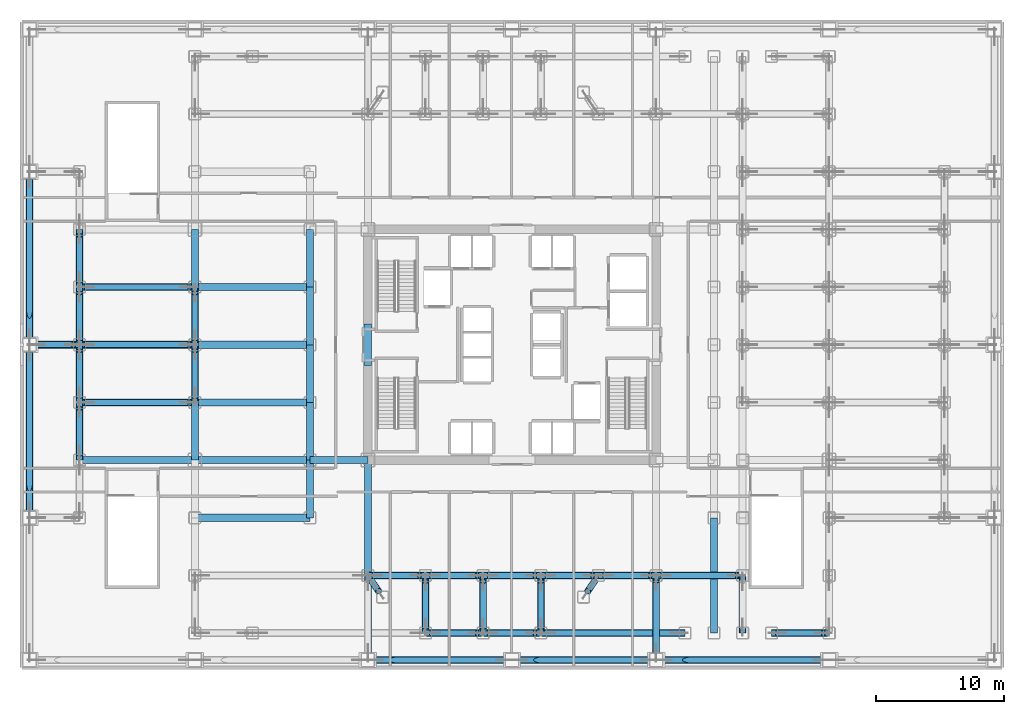
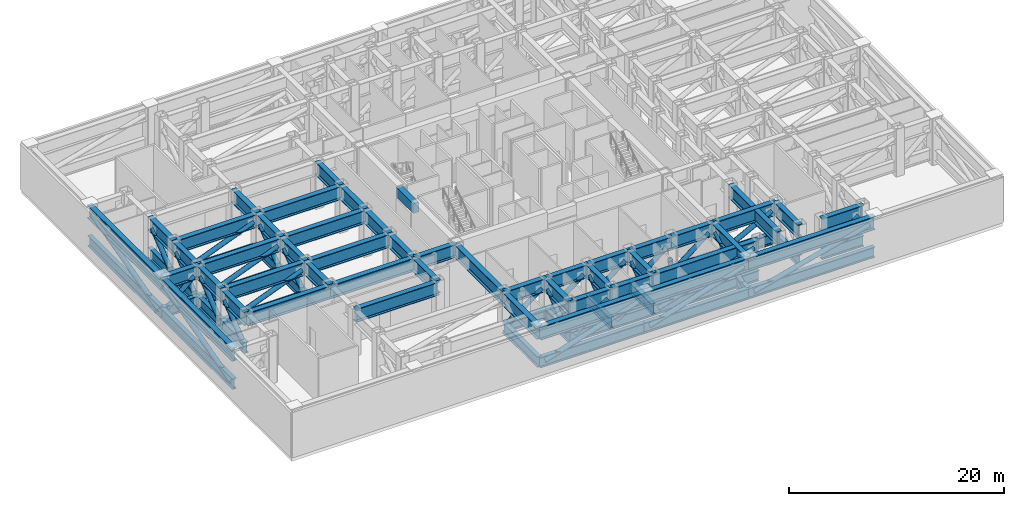
# One storey, part 2 of 17: 79 beams, 31 members.
"""IFC4 building model written with IfcOpenShell, lengths in metres."""

from ifc_helpers import new_model, si_unit, direction, frame, origin, origin_2d, place, context, subcontext, project, spatial, rectangle, hollow_circle, i_section, extrude, source, transform, mapped, material, material_profile, profile_set, type_object, element, save


model = new_model("IFC4")

# Units and contexts
model_context = context("Model", 3, precision=1e-05, world=origin(), true_north=direction((0.0, 1.0)))
body_context = subcontext(model_context, "Body", "Model", "MODEL_VIEW")
ifc_project = project(units=[si_unit("LENGTHUNIT", "METRE"), si_unit("AREAUNIT", "SQUARE_METRE"), si_unit("VOLUMEUNIT", "CUBIC_METRE"), si_unit("PLANEANGLEUNIT", "RADIAN"), si_unit("MASSUNIT", "GRAM", prefix="KILO")], contexts=[model_context])

# Site, building, storey
site_placement = place(None, origin())
site = spatial("IfcSite", under=ifc_project, at=site_placement, CompositionType="ELEMENT")
building_placement = place(site_placement, origin())
building = spatial("IfcBuilding", under=site, at=building_placement, Name="Nefas-Gora Pilgrimage Tower", CompositionType="ELEMENT")
storey_placement = place(building_placement, frame((0.0, 0.0, 27.60009765625)))
storey = spatial("IfcBuildingStorey", under=building, at=storey_placement, Name="L05", CompositionType="ELEMENT", Elevation=27.60009765625)

# Beams
ifc_material_1 = material(Name="Concrete C60/75", Category="concrete")
ifc_material_profile_1 = material_profile(ifc_material_1, rectangle(XDim=0.60009765625, YDim=1.10009765625, at=origin_2d()), Name="RC 600x1100")
ifc_profile_set_1 = profile_set([ifc_material_profile_1], Name="Concrete C60/75")
beam_type_1 = type_object("IfcBeamType", Name="BM-LIN-RC1100", PredefinedType="LINTEL", material=ifc_profile_set_1)
shared_shape_1 = source(origin(), body_context, "Body", "SweptSolid", [
    extrude(rectangle(XDim=0.60009765625, YDim=1.10009765625, at=origin_2d()), origin(), (0.0, 0.0, 1.0), 3.2001953125),
])
beam_1_placement = place(storey_placement, frame((-11.25, -1.60009765625, 4.599853515625), z_axis=(0.0, 1.0, 0.0), x_axis=(-1.0, 0.0, 0.0)))
element("IfcBeam", 1, at=beam_1_placement, inside=storey, type_object=beam_type_1, Name="L05 Core Coupling Lintel Beam W", PredefinedType="LINTEL", context=body_context, shape_type="MappedRepresentation", body=[
    mapped(shared_shape_1, transform((0.0, 0.0, 0.0), x_axis=(1.0, 0.0, 0.0), y_axis=(0.0, 1.0, 0.0), z_axis=(0.0, 0.0, 1.0), scale=1.0)),
])
ifc_material_2 = material(Name="Steel S460", Category="steel")
ifc_material_profile_2 = material_profile(ifc_material_2, i_section(OverallWidth=0.550048828125, OverallDepth=1.5, WebThickness=0.031982421875, FlangeThickness=0.06005859375, FilletRadius=0.02392578125, at=origin_2d()), Name="WPG 1500x550x32x60")
ifc_profile_set_2 = profile_set([ifc_material_profile_2], Name="Steel S460")
beam_type_2 = type_object("IfcBeamType", Name="BM-TR-1500", PredefinedType="BEAM", material=ifc_profile_set_2)
shared_shape_2 = source(origin(), body_context, "Body", "SweptSolid", [
    extrude(i_section(OverallWidth=0.550048828125, OverallDepth=1.5, WebThickness=0.031982421875, FlangeThickness=0.06005859375, FilletRadius=0.02392578125, at=origin_2d()), origin(), (0.0, 0.0, 1.0), 13.5),
])
for number, where, z_axis, x_axis, name in (
    (2, (-37.64990234375, -13.5, 4.39990234375), (0.0, 1.0, 0.0), (-1.0, 0.0, 0.0), "L05 Transfer Truss Top Chord TB-01.3"),
    (3, (-37.64990234375, 0.0, 4.39990234375), (0.0, 1.0, 0.0), (-1.0, 0.0, 0.0), "L05 Transfer Truss Top Chord TB-01.5"),
    (4, (11.25, -24.60009765625, 4.39990234375), (1.0, 0.0, 0.0), (0.0, 1.0, 0.0), "L05 Transfer Truss Top Chord TB-01.85"),
):
    element("IfcBeam", number, at=place(storey_placement, frame(where, z_axis=z_axis, x_axis=x_axis)), inside=storey, type_object=beam_type_2, Name=name, PredefinedType="BEAM", context=body_context, shape_type="MappedRepresentation", body=[
        mapped(shared_shape_2, transform((0.0, 0.0, 0.0), x_axis=(1.0, 0.0, 0.0), y_axis=(0.0, 1.0, 0.0), z_axis=(0.0, 0.0, 1.0), scale=1.0)),
    ])
ifc_material_profile_3 = material_profile(ifc_material_2, i_section(OverallWidth=0.449951171875, OverallDepth=1.199951171875, WebThickness=0.028076171875, FlangeThickness=0.050048828125, FilletRadius=0.02392578125, at=origin_2d()), Name="WPG 1200x450x28x50")
ifc_profile_set_3 = profile_set([ifc_material_profile_3], Name="Steel S460")
beam_type_3 = type_object("IfcBeamType", Name="BM-TR-1200", PredefinedType="BEAM", material=ifc_profile_set_3)
shared_shape_3 = source(origin(), body_context, "Body", "SweptSolid", [
    extrude(i_section(OverallWidth=0.449951171875, OverallDepth=1.199951171875, WebThickness=0.028076171875, FlangeThickness=0.050048828125, FilletRadius=0.02392578125, at=origin_2d()), origin(), (0.0, 0.0, 1.0), 13.5),
])
for number, where, z_axis, x_axis, name in (
    (5, (-37.64990234375, -13.5, 1.0498046875), (0.0, 1.0, 0.0), (-1.0, 0.0, 0.0), "L05 Transfer Truss Bottom Chord TB-02.3"),
    (6, (-37.64990234375, 0.0, 1.0498046875), (0.0, 1.0, 0.0), (-1.0, 0.0, 0.0), "L05 Transfer Truss Bottom Chord TB-02.5"),
    (7, (11.25, -24.60009765625, 1.0498046875), (1.0, 0.0, 0.0), (0.0, 1.0, 0.0), "L05 Transfer Truss Bottom Chord TB-02.85"),
):
    element("IfcBeam", number, at=place(storey_placement, frame(where, z_axis=z_axis, x_axis=x_axis)), inside=storey, type_object=beam_type_3, Name=name, PredefinedType="BEAM", context=body_context, shape_type="MappedRepresentation", body=[
        mapped(shared_shape_3, transform((0.0, 0.0, 0.0), x_axis=(1.0, 0.0, 0.0), y_axis=(0.0, 1.0, 0.0), z_axis=(0.0, 0.0, 1.0), scale=1.0)),
    ])

# Members
ifc_material_profile_4 = material_profile(ifc_material_2, hollow_circle(Radius=0.25390625, WallThickness=0.031982421875, at=origin_2d()), Name="CHS 508x32")
ifc_profile_set_4 = profile_set([ifc_material_profile_4], Name="Steel S460")
member_type = type_object("IfcMemberType", Name="MEM-TRUSS-508", PredefinedType="BRACE", material=ifc_profile_set_4)
shared_shape_4 = source(origin(), body_context, "Body", "SweptSolid", [
    extrude(hollow_circle(Radius=0.25390625, WallThickness=0.031982421875, at=origin_2d()), origin(), (0.0, 0.0, 1.0), 12.84619140625),
])
for number, where, z_axis, x_axis, name in (
    (8, (-37.64990234375, -12.9619140625, 0.991455078125), (0.0, 0.967124000788, 0.254305263609), (-1.0, 0.0, 0.0), "L05 Transfer Truss Web Diagonal TBR-01.3"),
    (9, (-37.64990234375, 0.5380859375, 0.991455078125), (0.0, 0.967124000788, 0.254305263609), (-1.0, 0.0, 0.0), "L05 Transfer Truss Web Diagonal TBR-01.5"),
    (10, (11.7880859375, -24.60009765625, 0.991455078125), (0.967124000788, 0.0, 0.254305263609), (0.0, 1.0, 0.0), "L05 Transfer Truss Web Diagonal TBR-01.85"),
):
    element("IfcMember", number, at=place(storey_placement, frame(where, z_axis=z_axis, x_axis=x_axis)), inside=storey, type_object=member_type, Name=name, PredefinedType="BRACE", context=body_context, shape_type="MappedRepresentation", body=[
        mapped(shared_shape_4, transform((0.0, 0.0, 0.0), x_axis=(1.0, 0.0, 0.0), y_axis=(0.0, 1.0, 0.0), z_axis=(0.0, 0.0, 1.0), scale=1.0)),
    ])

# Beams
shared_shape_5 = source(origin(), body_context, "Body", "SweptSolid", [
    extrude(i_section(OverallWidth=0.550048828125, OverallDepth=1.5, WebThickness=0.031982421875, FlangeThickness=0.06005859375, FilletRadius=0.02392578125, at=origin_2d()), origin(), (0.0, 0.0, 1.0), 3.89990234375),
])
beam_2_placement = place(storey_placement, frame((-37.64990234375, 0.0, 4.39990234375), z_axis=(1.0, 0.0, 0.0), x_axis=(0.0, 1.0, 0.0)))
element("IfcBeam", 11, at=beam_2_placement, inside=storey, type_object=beam_type_2, Name="L05 Transfer Truss Top Chord TB-01.6", PredefinedType="BEAM", context=body_context, shape_type="MappedRepresentation", body=[
    mapped(shared_shape_5, transform((0.0, 0.0, 0.0), x_axis=(1.0, 0.0, 0.0), y_axis=(0.0, 1.0, 0.0), z_axis=(0.0, 0.0, 1.0), scale=1.0)),
])
shared_shape_6 = source(origin(), body_context, "Body", "SweptSolid", [
    extrude(i_section(OverallWidth=0.449951171875, OverallDepth=1.199951171875, WebThickness=0.028076171875, FlangeThickness=0.050048828125, FilletRadius=0.02392578125, at=origin_2d()), origin(), (0.0, 0.0, 1.0), 3.89990234375),
])
beam_3_placement = place(storey_placement, frame((-37.64990234375, 0.0, 1.0498046875), z_axis=(1.0, 0.0, 0.0), x_axis=(0.0, 1.0, 0.0)))
element("IfcBeam", 12, at=beam_3_placement, inside=storey, type_object=beam_type_3, Name="L05 Transfer Truss Bottom Chord TB-02.6", PredefinedType="BEAM", context=body_context, shape_type="MappedRepresentation", body=[
    mapped(shared_shape_6, transform((0.0, 0.0, 0.0), x_axis=(1.0, 0.0, 0.0), y_axis=(0.0, 1.0, 0.0), z_axis=(0.0, 0.0, 1.0), scale=1.0)),
])

# Member
shared_shape_7 = source(origin(), body_context, "Body", "SweptSolid", [
    extrude(hollow_circle(Radius=0.25390625, WallThickness=0.031982421875, at=origin_2d()), origin(), (0.0, 0.0, 1.0), 3.92041015625),
])
member_1_placement = place(storey_placement, frame((-37.112060546875, 0.0, 1.339599609375), z_axis=(0.739520063615, 0.0, 0.673134515168), x_axis=(0.0, 1.0, 0.0)))
element("IfcMember", 13, at=member_1_placement, inside=storey, type_object=member_type, Name="L05 Transfer Truss Web Diagonal TBR-01.6", PredefinedType="BRACE", context=body_context, shape_type="MappedRepresentation", body=[
    mapped(shared_shape_7, transform((0.0, 0.0, 0.0), x_axis=(1.0, 0.0, 0.0), y_axis=(0.0, 1.0, 0.0), z_axis=(0.0, 0.0, 1.0), scale=1.0)),
])

# Beams
shared_shape_8 = source(origin(), body_context, "Body", "SweptSolid", [
    extrude(i_section(OverallWidth=0.550048828125, OverallDepth=1.5, WebThickness=0.031982421875, FlangeThickness=0.06005859375, FilletRadius=0.02392578125, at=origin_2d()), origin(), (0.0, 0.0, 1.0), 4.5),
])
for number, where, z_axis, x_axis, name in (
    (14, (-33.75, -9.0, 4.39990234375), (0.0, 1.0, 0.0), (-1.0, 0.0, 0.0), "L05 Transfer Truss Top Chord TB-01.11"),
    (15, (-33.75, -4.5, 4.39990234375), (0.0, 1.0, 0.0), (-1.0, 0.0, 0.0), "L05 Transfer Truss Top Chord TB-01.13"),
    (16, (-33.75, 0.0, 4.39990234375), (0.0, 1.0, 0.0), (-1.0, 0.0, 0.0), "L05 Transfer Truss Top Chord TB-01.15"),
    (17, (-33.75, 4.5, 4.39990234375), (0.0, 1.0, 0.0), (-1.0, 0.0, 0.0), "L05 Transfer Truss Top Chord TB-01.17"),
    (18, (-24.75, -9.0, 4.39990234375), (0.0, 1.0, 0.0), (-1.0, 0.0, 0.0), "L05 Transfer Truss Top Chord TB-01.28"),
    (19, (-24.75, -4.5, 4.39990234375), (0.0, 1.0, 0.0), (-1.0, 0.0, 0.0), "L05 Transfer Truss Top Chord TB-01.30"),
    (20, (-24.75, 0.0, 4.39990234375), (0.0, 1.0, 0.0), (-1.0, 0.0, 0.0), "L05 Transfer Truss Top Chord TB-01.32"),
    (21, (-24.75, 4.5, 4.39990234375), (0.0, 1.0, 0.0), (-1.0, 0.0, 0.0), "L05 Transfer Truss Top Chord TB-01.34"),
    (22, (-15.75, -13.5, 4.39990234375), (0.0, 1.0, 0.0), (-1.0, 0.0, 0.0), "L05 Transfer Truss Top Chord TB-01.46"),
    (23, (-15.75, -9.0, 4.39990234375), (0.0, 1.0, 0.0), (-1.0, 0.0, 0.0), "L05 Transfer Truss Top Chord TB-01.47"),
    (24, (-15.75, -9.0, 4.39990234375), (1.0, 0.0, 0.0), (0.0, 1.0, 0.0), "L05 Transfer Truss Top Chord TB-01.48"),
    (25, (-15.75, -4.5, 4.39990234375), (0.0, 1.0, 0.0), (-1.0, 0.0, 0.0), "L05 Transfer Truss Top Chord TB-01.49"),
    (26, (-15.75, 0.0, 4.39990234375), (0.0, 1.0, 0.0), (-1.0, 0.0, 0.0), "L05 Transfer Truss Top Chord TB-01.50"),
    (27, (-15.75, 4.5, 4.39990234375), (0.0, 1.0, 0.0), (-1.0, 0.0, 0.0), "L05 Transfer Truss Top Chord TB-01.51"),
    (28, (-11.25, -18.0, 4.39990234375), (1.0, 0.0, 0.0), (0.0, 1.0, 0.0), "L05 Transfer Truss Top Chord TB-01.57"),
    (29, (-6.75, -22.5, 4.39990234375), (0.0, 1.0, 0.0), (-1.0, 0.0, 0.0), "L05 Transfer Truss Top Chord TB-01.62"),
    (30, (-6.75, -22.5, 4.39990234375), (1.0, 0.0, 0.0), (0.0, 1.0, 0.0), "L05 Transfer Truss Top Chord TB-01.63"),
    (31, (-6.75, -18.0, 4.39990234375), (1.0, 0.0, 0.0), (0.0, 1.0, 0.0), "L05 Transfer Truss Top Chord TB-01.64"),
    (32, (-2.25, -22.5, 4.39990234375), (0.0, 1.0, 0.0), (-1.0, 0.0, 0.0), "L05 Transfer Truss Top Chord TB-01.68"),
    (33, (-2.25, -22.5, 4.39990234375), (1.0, 0.0, 0.0), (0.0, 1.0, 0.0), "L05 Transfer Truss Top Chord TB-01.69"),
    (34, (-2.25, -18.0, 4.39990234375), (1.0, 0.0, 0.0), (0.0, 1.0, 0.0), "L05 Transfer Truss Top Chord TB-01.70"),
    (35, (2.25, -22.5, 4.39990234375), (0.0, 1.0, 0.0), (-1.0, 0.0, 0.0), "L05 Transfer Truss Top Chord TB-01.76"),
    (36, (2.25, -18.0, 4.39990234375), (1.0, 0.0, 0.0), (0.0, 1.0, 0.0), "L05 Transfer Truss Top Chord TB-01.78"),
    (37, (6.75, -18.0, 4.39990234375), (1.0, 0.0, 0.0), (0.0, 1.0, 0.0), "L05 Transfer Truss Top Chord TB-01.82"),
    (38, (18.0, -22.5, 4.39990234375), (0.0, 1.0, 0.0), (-1.0, 0.0, 0.0), "L05 Transfer Truss Top Chord TB-01.102"),
    (39, (20.25, -22.5, 4.39990234375), (1.0, 0.0, 0.0), (0.0, 1.0, 0.0), "L05 Transfer Truss Top Chord TB-01.119"),
):
    element("IfcBeam", number, at=place(storey_placement, frame(where, z_axis=z_axis, x_axis=x_axis)), inside=storey, type_object=beam_type_2, Name=name, PredefinedType="BEAM", context=body_context, shape_type="MappedRepresentation", body=[
        mapped(shared_shape_8, transform((0.0, 0.0, 0.0), x_axis=(1.0, 0.0, 0.0), y_axis=(0.0, 1.0, 0.0), z_axis=(0.0, 0.0, 1.0), scale=1.0)),
    ])
shared_shape_9 = source(origin(), body_context, "Body", "SweptSolid", [
    extrude(i_section(OverallWidth=0.449951171875, OverallDepth=1.199951171875, WebThickness=0.028076171875, FlangeThickness=0.050048828125, FilletRadius=0.02392578125, at=origin_2d()), origin(), (0.0, 0.0, 1.0), 4.5),
])
for number, where, z_axis, x_axis, name in (
    (40, (-33.75, -9.0, 1.0498046875), (0.0, 1.0, 0.0), (-1.0, 0.0, 0.0), "L05 Transfer Truss Bottom Chord TB-02.11"),
    (41, (-33.75, -4.5, 1.0498046875), (0.0, 1.0, 0.0), (-1.0, 0.0, 0.0), "L05 Transfer Truss Bottom Chord TB-02.13"),
    (42, (-33.75, 0.0, 1.0498046875), (0.0, 1.0, 0.0), (-1.0, 0.0, 0.0), "L05 Transfer Truss Bottom Chord TB-02.15"),
    (43, (-33.75, 4.5, 1.0498046875), (0.0, 1.0, 0.0), (-1.0, 0.0, 0.0), "L05 Transfer Truss Bottom Chord TB-02.17"),
    (44, (-24.75, -4.5, 1.0498046875), (0.0, 1.0, 0.0), (-1.0, 0.0, 0.0), "L05 Transfer Truss Bottom Chord TB-02.30"),
    (45, (-24.75, 0.0, 1.0498046875), (0.0, 1.0, 0.0), (-1.0, 0.0, 0.0), "L05 Transfer Truss Bottom Chord TB-02.32"),
    (46, (-11.25, -18.0, 1.0498046875), (1.0, 0.0, 0.0), (0.0, 1.0, 0.0), "L05 Transfer Truss Bottom Chord TB-02.57"),
    (47, (-6.75, -22.5, 1.0498046875), (0.0, 1.0, 0.0), (-1.0, 0.0, 0.0), "L05 Transfer Truss Bottom Chord TB-02.62"),
    (48, (-6.75, -22.5, 1.0498046875), (1.0, 0.0, 0.0), (0.0, 1.0, 0.0), "L05 Transfer Truss Bottom Chord TB-02.63"),
    (49, (-6.75, -18.0, 1.0498046875), (1.0, 0.0, 0.0), (0.0, 1.0, 0.0), "L05 Transfer Truss Bottom Chord TB-02.64"),
    (50, (-2.25, -22.5, 1.0498046875), (0.0, 1.0, 0.0), (-1.0, 0.0, 0.0), "L05 Transfer Truss Bottom Chord TB-02.68"),
    (51, (-2.25, -22.5, 1.0498046875), (1.0, 0.0, 0.0), (0.0, 1.0, 0.0), "L05 Transfer Truss Bottom Chord TB-02.69"),
    (52, (-2.25, -18.0, 1.0498046875), (1.0, 0.0, 0.0), (0.0, 1.0, 0.0), "L05 Transfer Truss Bottom Chord TB-02.70"),
    (53, (2.25, -22.5, 1.0498046875), (0.0, 1.0, 0.0), (-1.0, 0.0, 0.0), "L05 Transfer Truss Bottom Chord TB-02.76"),
    (54, (2.25, -18.0, 1.0498046875), (1.0, 0.0, 0.0), (0.0, 1.0, 0.0), "L05 Transfer Truss Bottom Chord TB-02.78"),
    (55, (6.75, -18.0, 1.0498046875), (1.0, 0.0, 0.0), (0.0, 1.0, 0.0), "L05 Transfer Truss Bottom Chord TB-02.82"),
    (56, (18.0, -22.5, 1.0498046875), (0.0, 1.0, 0.0), (-1.0, 0.0, 0.0), "L05 Transfer Truss Bottom Chord TB-02.102"),
    (57, (20.25, -22.5, 1.0498046875), (1.0, 0.0, 0.0), (0.0, 1.0, 0.0), "L05 Transfer Truss Bottom Chord TB-02.119"),
):
    element("IfcBeam", number, at=place(storey_placement, frame(where, z_axis=z_axis, x_axis=x_axis)), inside=storey, type_object=beam_type_3, Name=name, PredefinedType="BEAM", context=body_context, shape_type="MappedRepresentation", body=[
        mapped(shared_shape_9, transform((0.0, 0.0, 0.0), x_axis=(1.0, 0.0, 0.0), y_axis=(0.0, 1.0, 0.0), z_axis=(0.0, 0.0, 1.0), scale=1.0)),
    ])

# Members
shared_shape_10 = source(origin(), body_context, "Body", "SweptSolid", [
    extrude(hollow_circle(Radius=0.25390625, WallThickness=0.031982421875, at=origin_2d()), origin(), (0.0, 0.0, 1.0), 4.552490234375),
])
for number, where, z_axis, x_axis, name in (
    (58, (-33.75, -8.537109375, 1.215087890625), (0.0, 0.785114702189, 0.619350389042), (-1.0, 0.0, 0.0), "L05 Transfer Truss Web Diagonal TBR-01.11"),
    (59, (-33.75, -4.037109375, 1.215087890625), (0.0, 0.785114702189, 0.619350389042), (-1.0, 0.0, 0.0), "L05 Transfer Truss Web Diagonal TBR-01.13"),
    (60, (-33.75, 0.462890625, 1.215087890625), (0.0, 0.785114702189, 0.619350389042), (-1.0, 0.0, 0.0), "L05 Transfer Truss Web Diagonal TBR-01.15"),
    (61, (-33.75, 4.962890625, 1.215087890625), (0.0, 0.785114702189, 0.619350389042), (-1.0, 0.0, 0.0), "L05 Transfer Truss Web Diagonal TBR-01.17"),
    (62, (-24.75, -4.037109375, 1.215087890625), (0.0, 0.785114702189, 0.619350389042), (-1.0, 0.0, 0.0), "L05 Transfer Truss Web Diagonal TBR-01.30"),
    (63, (-24.75, 0.462890625, 1.215087890625), (0.0, 0.785114702189, 0.619350389042), (-1.0, 0.0, 0.0), "L05 Transfer Truss Web Diagonal TBR-01.32"),
    (64, (-10.787109375, -18.0, 1.215087890625), (0.785114702189, 0.0, 0.619350389042), (0.0, 1.0, 0.0), "L05 Transfer Truss Web Diagonal TBR-01.57"),
    (65, (-6.75, -22.037109375, 1.215087890625), (0.0, 0.785114702189, 0.619350389042), (-1.0, 0.0, 0.0), "L05 Transfer Truss Web Diagonal TBR-01.62"),
    (66, (-6.287109375, -22.5, 1.215087890625), (0.785114702189, 0.0, 0.619350389042), (0.0, 1.0, 0.0), "L05 Transfer Truss Web Diagonal TBR-01.63"),
    (67, (-6.287109375, -18.0, 1.215087890625), (0.785114702189, 0.0, 0.619350389042), (0.0, 1.0, 0.0), "L05 Transfer Truss Web Diagonal TBR-01.64"),
    (68, (-2.25, -22.037109375, 1.215087890625), (0.0, 0.785114702189, 0.619350389042), (-1.0, 0.0, 0.0), "L05 Transfer Truss Web Diagonal TBR-01.68"),
    (69, (-1.787109375, -22.5, 1.215087890625), (0.785114702189, 0.0, 0.619350389042), (0.0, 1.0, 0.0), "L05 Transfer Truss Web Diagonal TBR-01.69"),
    (70, (-1.787109375, -18.0, 1.215087890625), (0.785114702189, 0.0, 0.619350389042), (0.0, 1.0, 0.0), "L05 Transfer Truss Web Diagonal TBR-01.70"),
    (71, (2.25, -22.037109375, 1.215087890625), (0.0, 0.785114702189, 0.619350389042), (-1.0, 0.0, 0.0), "L05 Transfer Truss Web Diagonal TBR-01.76"),
    (72, (2.712890625, -18.0, 1.215087890625), (0.785114702189, 0.0, 0.619350389042), (0.0, 1.0, 0.0), "L05 Transfer Truss Web Diagonal TBR-01.78"),
    (73, (7.212890625, -18.0, 1.215087890625), (0.785114702189, 0.0, 0.619350389042), (0.0, 1.0, 0.0), "L05 Transfer Truss Web Diagonal TBR-01.82"),
    (74, (20.712890625, -22.5, 1.215087890625), (0.785114702189, 0.0, 0.619350389042), (0.0, 1.0, 0.0), "L05 Transfer Truss Web Diagonal TBR-01.119"),
):
    element("IfcMember", number, at=place(storey_placement, frame(where, z_axis=z_axis, x_axis=x_axis)), inside=storey, type_object=member_type, Name=name, PredefinedType="BRACE", context=body_context, shape_type="MappedRepresentation", body=[
        mapped(shared_shape_10, transform((0.0, 0.0, 0.0), x_axis=(1.0, 0.0, 0.0), y_axis=(0.0, 1.0, 0.0), z_axis=(0.0, 0.0, 1.0), scale=1.0)),
    ])

# Beams
shared_shape_11 = source(origin(), body_context, "Body", "SweptSolid", [
    extrude(i_section(OverallWidth=0.550048828125, OverallDepth=1.5, WebThickness=0.031982421875, FlangeThickness=0.06005859375, FilletRadius=0.02392578125, at=origin_2d()), origin(), (0.0, 0.0, 1.0), 9.0),
])
for number, where, z_axis, x_axis, name in (
    (75, (-33.75, -9.0, 4.39990234375), (1.0, 0.0, 0.0), (0.0, 1.0, 0.0), "L05 Transfer Truss Top Chord TB-01.12"),
    (76, (-33.75, -4.5, 4.39990234375), (1.0, 0.0, 0.0), (0.0, 1.0, 0.0), "L05 Transfer Truss Top Chord TB-01.14"),
    (77, (-33.75, 0.0, 4.39990234375), (1.0, 0.0, 0.0), (0.0, 1.0, 0.0), "L05 Transfer Truss Top Chord TB-01.16"),
    (78, (-33.75, 4.5, 4.39990234375), (1.0, 0.0, 0.0), (0.0, 1.0, 0.0), "L05 Transfer Truss Top Chord TB-01.18"),
    (79, (-24.75, -13.5, 4.39990234375), (1.0, 0.0, 0.0), (0.0, 1.0, 0.0), "L05 Transfer Truss Top Chord TB-01.27"),
    (80, (-24.75, -9.0, 4.39990234375), (1.0, 0.0, 0.0), (0.0, 1.0, 0.0), "L05 Transfer Truss Top Chord TB-01.29"),
    (81, (-24.75, -4.5, 4.39990234375), (1.0, 0.0, 0.0), (0.0, 1.0, 0.0), "L05 Transfer Truss Top Chord TB-01.31"),
    (82, (-24.75, 0.0, 4.39990234375), (1.0, 0.0, 0.0), (0.0, 1.0, 0.0), "L05 Transfer Truss Top Chord TB-01.33"),
    (83, (-24.75, 4.5, 4.39990234375), (1.0, 0.0, 0.0), (0.0, 1.0, 0.0), "L05 Transfer Truss Top Chord TB-01.35"),
    (84, (-11.25, -18.0, 4.39990234375), (0.0, 1.0, 0.0), (-1.0, 0.0, 0.0), "L05 Transfer Truss Top Chord TB-01.56"),
    (85, (15.75, -22.5, 4.39990234375), (0.0, 1.0, 0.0), (-1.0, 0.0, 0.0), "L05 Transfer Truss Top Chord TB-01.94"),
):
    element("IfcBeam", number, at=place(storey_placement, frame(where, z_axis=z_axis, x_axis=x_axis)), inside=storey, type_object=beam_type_2, Name=name, PredefinedType="BEAM", context=body_context, shape_type="MappedRepresentation", body=[
        mapped(shared_shape_11, transform((0.0, 0.0, 0.0), x_axis=(1.0, 0.0, 0.0), y_axis=(0.0, 1.0, 0.0), z_axis=(0.0, 0.0, 1.0), scale=1.0)),
    ])
shared_shape_12 = source(origin(), body_context, "Body", "SweptSolid", [
    extrude(i_section(OverallWidth=0.449951171875, OverallDepth=1.199951171875, WebThickness=0.028076171875, FlangeThickness=0.050048828125, FilletRadius=0.02392578125, at=origin_2d()), origin(), (0.0, 0.0, 1.0), 9.0),
])
for number, where, z_axis, x_axis, name in (
    (86, (-33.75, -4.5, 1.0498046875), (1.0, 0.0, 0.0), (0.0, 1.0, 0.0), "L05 Transfer Truss Bottom Chord TB-02.14"),
    (87, (-33.75, 0.0, 1.0498046875), (1.0, 0.0, 0.0), (0.0, 1.0, 0.0), "L05 Transfer Truss Bottom Chord TB-02.16"),
    (88, (-33.75, 4.5, 1.0498046875), (1.0, 0.0, 0.0), (0.0, 1.0, 0.0), "L05 Transfer Truss Bottom Chord TB-02.18"),
):
    element("IfcBeam", number, at=place(storey_placement, frame(where, z_axis=z_axis, x_axis=x_axis)), inside=storey, type_object=beam_type_3, Name=name, PredefinedType="BEAM", context=body_context, shape_type="MappedRepresentation", body=[
        mapped(shared_shape_12, transform((0.0, 0.0, 0.0), x_axis=(1.0, 0.0, 0.0), y_axis=(0.0, 1.0, 0.0), z_axis=(0.0, 0.0, 1.0), scale=1.0)),
    ])

# Members
shared_shape_13 = source(origin(), body_context, "Body", "SweptSolid", [
    extrude(hollow_circle(Radius=0.25390625, WallThickness=0.031982421875, at=origin_2d()), origin(), (0.0, 0.0, 1.0), 8.6796875),
])
for number, where, z_axis, x_axis, name in (
    (89, (-33.287109375, -4.5, 1.032470703125), (0.930248726391, 0.0, 0.366929566877), (0.0, 1.0, 0.0), "L05 Transfer Truss Web Diagonal TBR-01.14"),
    (90, (-33.287109375, 0.0, 1.032470703125), (0.930248726391, 0.0, 0.366929566877), (0.0, 1.0, 0.0), "L05 Transfer Truss Web Diagonal TBR-01.16"),
    (91, (-33.287109375, 4.5, 1.032470703125), (0.930248726391, 0.0, 0.366929566877), (0.0, 1.0, 0.0), "L05 Transfer Truss Web Diagonal TBR-01.18"),
):
    element("IfcMember", number, at=place(storey_placement, frame(where, z_axis=z_axis, x_axis=x_axis)), inside=storey, type_object=member_type, Name=name, PredefinedType="BRACE", context=body_context, shape_type="MappedRepresentation", body=[
        mapped(shared_shape_13, transform((0.0, 0.0, 0.0), x_axis=(1.0, 0.0, 0.0), y_axis=(0.0, 1.0, 0.0), z_axis=(0.0, 0.0, 1.0), scale=1.0)),
    ])

# Beams
shared_shape_14 = source(origin(), body_context, "Body", "SweptSolid", [
    extrude(i_section(OverallWidth=0.550048828125, OverallDepth=1.5, WebThickness=0.031982421875, FlangeThickness=0.06005859375, FilletRadius=0.02392578125, at=origin_2d()), origin(), (0.0, 0.0, 1.0), 6.60009765625),
])
for number, where, z_axis, x_axis, name in (
    (92, (-11.25, -24.60009765625, 4.39990234375), (0.0, 1.0, 0.0), (-1.0, 0.0, 0.0), "L05 Transfer Truss Top Chord TB-01.54"),
    (93, (11.25, -24.60009765625, 4.39990234375), (0.0, 1.0, 0.0), (-1.0, 0.0, 0.0), "L05 Transfer Truss Top Chord TB-01.84"),
):
    element("IfcBeam", number, at=place(storey_placement, frame(where, z_axis=z_axis, x_axis=x_axis)), inside=storey, type_object=beam_type_2, Name=name, PredefinedType="BEAM", context=body_context, shape_type="MappedRepresentation", body=[
        mapped(shared_shape_14, transform((0.0, 0.0, 0.0), x_axis=(1.0, 0.0, 0.0), y_axis=(0.0, 1.0, 0.0), z_axis=(0.0, 0.0, 1.0), scale=1.0)),
    ])
shared_shape_15 = source(origin(), body_context, "Body", "SweptSolid", [
    extrude(i_section(OverallWidth=0.449951171875, OverallDepth=1.199951171875, WebThickness=0.028076171875, FlangeThickness=0.050048828125, FilletRadius=0.02392578125, at=origin_2d()), origin(), (0.0, 0.0, 1.0), 6.60009765625),
])
for number, where, z_axis, x_axis, name in (
    (94, (-11.25, -24.60009765625, 1.0498046875), (0.0, 1.0, 0.0), (-1.0, 0.0, 0.0), "L05 Transfer Truss Bottom Chord TB-02.54"),
    (95, (11.25, -24.60009765625, 1.0498046875), (0.0, 1.0, 0.0), (-1.0, 0.0, 0.0), "L05 Transfer Truss Bottom Chord TB-02.84"),
):
    element("IfcBeam", number, at=place(storey_placement, frame(where, z_axis=z_axis, x_axis=x_axis)), inside=storey, type_object=beam_type_3, Name=name, PredefinedType="BEAM", context=body_context, shape_type="MappedRepresentation", body=[
        mapped(shared_shape_15, transform((0.0, 0.0, 0.0), x_axis=(1.0, 0.0, 0.0), y_axis=(0.0, 1.0, 0.0), z_axis=(0.0, 0.0, 1.0), scale=1.0)),
    ])

# Member
shared_shape_16 = source(origin(), body_context, "Body", "SweptSolid", [
    extrude(hollow_circle(Radius=0.25390625, WallThickness=0.031982421875, at=origin_2d()), origin(), (0.0, 0.0, 1.0), 6.357666015625),
])
member_2_placement = place(storey_placement, frame((11.25, -24.06201171875, 1.139404296875), z_axis=(0.0, 0.880696652186, 0.473680701348), x_axis=(-1.0, 0.0, 0.0)))
element("IfcMember", 96, at=member_2_placement, inside=storey, type_object=member_type, Name="L05 Transfer Truss Web Diagonal TBR-01.84", PredefinedType="BRACE", context=body_context, shape_type="MappedRepresentation", body=[
    mapped(shared_shape_16, transform((0.0, 0.0, 0.0), x_axis=(1.0, 0.0, 0.0), y_axis=(0.0, 1.0, 0.0), z_axis=(0.0, 0.0, 1.0), scale=1.0)),
])

# Beams
shared_shape_17 = source(origin(), body_context, "Body", "SweptSolid", [
    extrude(i_section(OverallWidth=0.550048828125, OverallDepth=1.5, WebThickness=0.031982421875, FlangeThickness=0.06005859375, FilletRadius=0.02392578125, at=origin_2d()), origin(), (0.0, 0.0, 1.0), 11.25),
])
for number, where, z_axis, x_axis, name in (
    (97, (-11.25, -24.60009765625, 4.39990234375), (1.0, 0.0, 0.0), (0.0, 1.0, 0.0), "L05 Transfer Truss Top Chord TB-01.55"),
    (98, (0.0, -24.60009765625, 4.39990234375), (1.0, 0.0, 0.0), (0.0, 1.0, 0.0), "L05 Transfer Truss Top Chord TB-01.74"),
    (99, (2.25, -22.5, 4.39990234375), (1.0, 0.0, 0.0), (0.0, 1.0, 0.0), "L05 Transfer Truss Top Chord TB-01.77"),
):
    element("IfcBeam", number, at=place(storey_placement, frame(where, z_axis=z_axis, x_axis=x_axis)), inside=storey, type_object=beam_type_2, Name=name, PredefinedType="BEAM", context=body_context, shape_type="MappedRepresentation", body=[
        mapped(shared_shape_17, transform((0.0, 0.0, 0.0), x_axis=(1.0, 0.0, 0.0), y_axis=(0.0, 1.0, 0.0), z_axis=(0.0, 0.0, 1.0), scale=1.0)),
    ])
shared_shape_18 = source(origin(), body_context, "Body", "SweptSolid", [
    extrude(i_section(OverallWidth=0.449951171875, OverallDepth=1.199951171875, WebThickness=0.028076171875, FlangeThickness=0.050048828125, FilletRadius=0.02392578125, at=origin_2d()), origin(), (0.0, 0.0, 1.0), 11.25),
])
for number, where, z_axis, x_axis, name in (
    (100, (-11.25, -24.60009765625, 1.0498046875), (1.0, 0.0, 0.0), (0.0, 1.0, 0.0), "L05 Transfer Truss Bottom Chord TB-02.55"),
    (101, (0.0, -24.60009765625, 1.0498046875), (1.0, 0.0, 0.0), (0.0, 1.0, 0.0), "L05 Transfer Truss Bottom Chord TB-02.74"),
    (102, (2.25, -22.5, 1.0498046875), (1.0, 0.0, 0.0), (0.0, 1.0, 0.0), "L05 Transfer Truss Bottom Chord TB-02.77"),
):
    element("IfcBeam", number, at=place(storey_placement, frame(where, z_axis=z_axis, x_axis=x_axis)), inside=storey, type_object=beam_type_3, Name=name, PredefinedType="BEAM", context=body_context, shape_type="MappedRepresentation", body=[
        mapped(shared_shape_18, transform((0.0, 0.0, 0.0), x_axis=(1.0, 0.0, 0.0), y_axis=(0.0, 1.0, 0.0), z_axis=(0.0, 0.0, 1.0), scale=1.0)),
    ])

# Members
shared_shape_19 = source(origin(), body_context, "Body", "SweptSolid", [
    extrude(hollow_circle(Radius=0.25390625, WallThickness=0.031982421875, at=origin_2d()), origin(), (0.0, 0.0, 1.0), 10.668212890625),
])
for number, where, z_axis, x_axis, name in (
    (103, (-10.7119140625, -24.60009765625, 1.019775390625), (0.953652158553, 0.0, 0.300911216952), (0.0, 1.0, 0.0), "L05 Transfer Truss Web Diagonal TBR-01.55"),
    (104, (0.5380859375, -24.60009765625, 1.019775390625), (0.953652158553, 0.0, 0.300911216952), (0.0, 1.0, 0.0), "L05 Transfer Truss Web Diagonal TBR-01.74"),
):
    element("IfcMember", number, at=place(storey_placement, frame(where, z_axis=z_axis, x_axis=x_axis)), inside=storey, type_object=member_type, Name=name, PredefinedType="BRACE", context=body_context, shape_type="MappedRepresentation", body=[
        mapped(shared_shape_19, transform((0.0, 0.0, 0.0), x_axis=(1.0, 0.0, 0.0), y_axis=(0.0, 1.0, 0.0), z_axis=(0.0, 0.0, 1.0), scale=1.0)),
    ])
shared_shape_20 = source(origin(), body_context, "Body", "SweptSolid", [
    extrude(hollow_circle(Radius=0.25390625, WallThickness=0.031982421875, at=origin_2d()), origin(), (0.0, 0.0, 1.0), 10.825927734375),
])
member_3_placement = place(storey_placement, frame((2.712890625, -22.5, 0.99609375), z_axis=(0.953648081063, 0.0, 0.300924139087), x_axis=(0.0, 1.0, 0.0)))
element("IfcMember", 105, at=member_3_placement, inside=storey, type_object=member_type, Name="L05 Transfer Truss Web Diagonal TBR-01.77", PredefinedType="BRACE", context=body_context, shape_type="MappedRepresentation", body=[
    mapped(shared_shape_20, transform((0.0, 0.0, 0.0), x_axis=(1.0, 0.0, 0.0), y_axis=(0.0, 1.0, 0.0), z_axis=(0.0, 0.0, 1.0), scale=1.0)),
])

# Beams
shared_shape_21 = source(origin(), body_context, "Body", "SweptSolid", [
    extrude(i_section(OverallWidth=0.550048828125, OverallDepth=1.5, WebThickness=0.031982421875, FlangeThickness=0.06005859375, FilletRadius=0.02392578125, at=origin_2d()), origin(), (0.0, 0.0, 1.0), 6.75),
])
beam_4_placement = place(storey_placement, frame((11.25, -18.0, 4.39990234375), z_axis=(1.0, 0.0, 0.0), x_axis=(0.0, 1.0, 0.0)))
element("IfcBeam", 106, at=beam_4_placement, inside=storey, type_object=beam_type_2, Name="L05 Transfer Truss Top Chord TB-01.87", PredefinedType="BEAM", context=body_context, shape_type="MappedRepresentation", body=[
    mapped(shared_shape_21, transform((0.0, 0.0, 0.0), x_axis=(1.0, 0.0, 0.0), y_axis=(0.0, 1.0, 0.0), z_axis=(0.0, 0.0, 1.0), scale=1.0)),
])
shared_shape_22 = source(origin(), body_context, "Body", "SweptSolid", [
    extrude(i_section(OverallWidth=0.449951171875, OverallDepth=1.199951171875, WebThickness=0.028076171875, FlangeThickness=0.050048828125, FilletRadius=0.02392578125, at=origin_2d()), origin(), (0.0, 0.0, 1.0), 6.75),
])
beam_5_placement = place(storey_placement, frame((11.25, -18.0, 1.0498046875), z_axis=(1.0, 0.0, 0.0), x_axis=(0.0, 1.0, 0.0)))
element("IfcBeam", 107, at=beam_5_placement, inside=storey, type_object=beam_type_3, Name="L05 Transfer Truss Bottom Chord TB-02.87", PredefinedType="BEAM", context=body_context, shape_type="MappedRepresentation", body=[
    mapped(shared_shape_22, transform((0.0, 0.0, 0.0), x_axis=(1.0, 0.0, 0.0), y_axis=(0.0, 1.0, 0.0), z_axis=(0.0, 0.0, 1.0), scale=1.0)),
])

# Members
shared_shape_23 = source(origin(), body_context, "Body", "SweptSolid", [
    extrude(hollow_circle(Radius=0.25390625, WallThickness=0.031982421875, at=origin_2d()), origin(), (0.0, 0.0, 1.0), 6.58056640625),
])
member_4_placement = place(storey_placement, frame((11.712890625, -18.0, 1.093505859375), z_axis=(0.88506786605, 0.0, 0.465461998971), x_axis=(0.0, 1.0, 0.0)))
element("IfcMember", 108, at=member_4_placement, inside=storey, type_object=member_type, Name="L05 Transfer Truss Web Diagonal TBR-01.87", PredefinedType="BRACE", context=body_context, shape_type="MappedRepresentation", body=[
    mapped(shared_shape_23, transform((0.0, 0.0, 0.0), x_axis=(1.0, 0.0, 0.0), y_axis=(0.0, 1.0, 0.0), z_axis=(0.0, 0.0, 1.0), scale=1.0)),
])
shared_shape_24 = source(origin(), body_context, "Body", "SweptSolid", [
    extrude(hollow_circle(Radius=0.25390625, WallThickness=0.031982421875, at=origin_2d()), origin(), (0.0, 0.0, 1.0), 1.862060546875),
])
for number, where, z_axis, x_axis, name in (
    (109, (-10.93359375, -18.462890625, 1.819091796875), (0.28253180213, -0.413505941494, 0.865556824902), (0.825673094375, 0.564148864419, 0.0), "L05 Lobe Transfer Truss Diagonal TBR-01.L32"),
    (110, (6.43359375, -18.462890625, 1.819091796875), (-0.28253180213, -0.413505941494, 0.865556824902), (0.825673094375, -0.564148864419, 0.0), "L05 Lobe Transfer Truss Diagonal TBR-01.L46"),
):
    element("IfcMember", number, at=place(storey_placement, frame(where, z_axis=z_axis, x_axis=x_axis)), inside=storey, type_object=member_type, Name=name, PredefinedType="BRACE", context=body_context, shape_type="MappedRepresentation", body=[
        mapped(shared_shape_24, transform((0.0, 0.0, 0.0), x_axis=(1.0, 0.0, 0.0), y_axis=(0.0, 1.0, 0.0), z_axis=(0.0, 0.0, 1.0), scale=1.0)),
    ])

save(model, "model.ifc")
